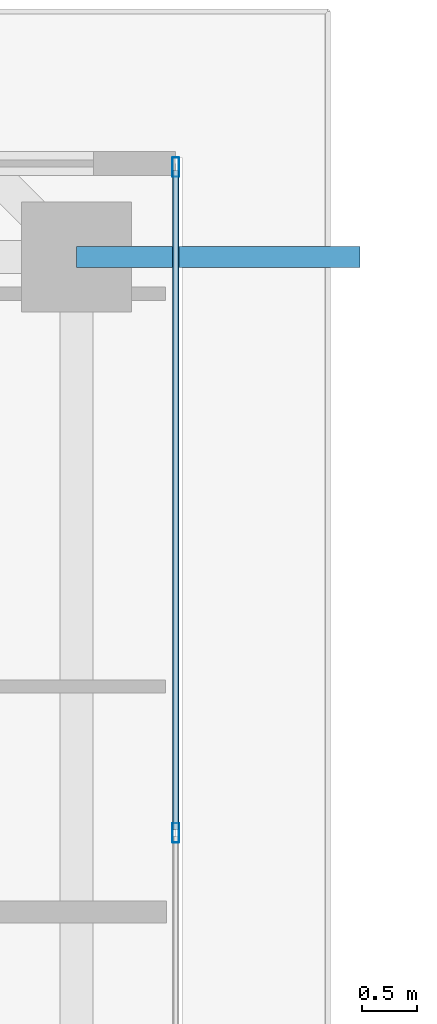
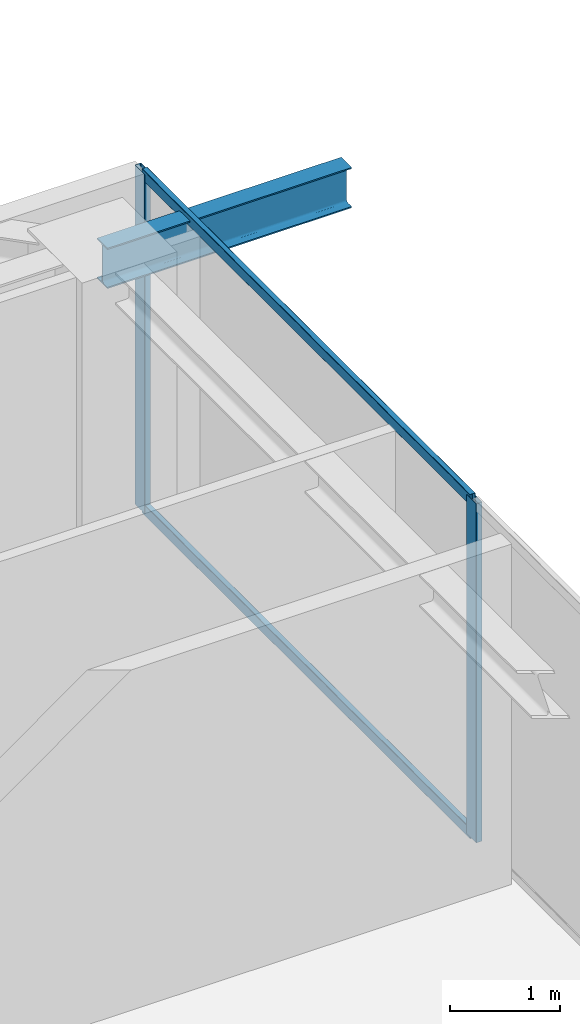
# One storey, part 23 of 37: 4 members, 1 beam, 1 element without a shape of its own.
"""IFC4 building model written with IfcOpenShell, lengths in metres."""

from ifc_helpers import new_model, si_unit, direction, frame, origin, origin_2d, place, context, subcontext, project, spatial, hollow_rectangle, i_section, extrude, source, transform, mapped, material, layer, layer_set, material_profile, profile_set, type_object, element, aggregate, save


model = new_model("IFC4")

# Units and contexts
model_context = context("Model", 3, precision=1e-05, world=origin(), true_north=direction((0.0, 1.0)))
body_context = subcontext(model_context, "Body", "Model", "MODEL_VIEW")
ifc_project = project(units=[si_unit("LENGTHUNIT", "METRE"), si_unit("AREAUNIT", "SQUARE_METRE"), si_unit("VOLUMEUNIT", "CUBIC_METRE"), si_unit("PLANEANGLEUNIT", "RADIAN"), si_unit("MASSUNIT", "GRAM", prefix="KILO")], contexts=[model_context])

# Site, building, storey
site_placement = place(None, origin())
site = spatial("IfcSite", under=ifc_project, at=site_placement, CompositionType="ELEMENT")
building_placement = place(site_placement, origin())
building = spatial("IfcBuilding", under=site, at=building_placement, Name="Serunith Strait Residences", CompositionType="ELEMENT")
storey_placement = place(building_placement, frame((0.0, 0.0, 305.60009765625)))
storey = spatial("IfcBuildingStorey", under=building, at=storey_placement, Name="L76", CompositionType="ELEMENT", Elevation=305.60009765625)

# Beam
ifc_material_1 = material(Name="Steel S355J2", Category="steel")
ifc_material_profile_1 = material_profile(ifc_material_1, i_section(OverallWidth=0.18994140625, OverallDepth=0.449951171875, WebThickness=0.009521484375, FlangeThickness=0.0146484375, FilletRadius=0.02099609375, at=origin_2d()), Name="IPE 450")
ifc_profile_set_1 = profile_set([ifc_material_profile_1], Name="Steel S355J2")
beam_type = type_object("IfcBeamType", Name="BM-IPE450", PredefinedType="JOIST", material=ifc_profile_set_1)
shared_shape_1 = source(origin(), body_context, "Body", "SweptSolid", [
    extrude(i_section(OverallWidth=0.18994140625, OverallDepth=0.449951171875, WebThickness=0.009521484375, FlangeThickness=0.0146484375, FilletRadius=0.02099609375, at=origin_2d()), origin(), (0.0, 0.0, 1.0), 2.571533203125),
])
beam_placement = place(storey_placement, frame((54.699951171875, 39.550048828125, 3.531982421875), z_axis=(1.0, 0.0, 0.0), x_axis=(0.0, 1.0, 0.0)))
element("IfcBeam", 1, at=beam_placement, inside=storey, type_object=beam_type, Name="L77 Cantilevered Balcony Rib TC-E4", PredefinedType="JOIST", context=body_context, shape_type="MappedRepresentation", body=[
    mapped(shared_shape_1, transform((0.0, 0.0, 0.0), scale=1.0)),
])

# Curtain wall, members
ifc_material_2 = material(Name="Brushed Stainless-Silver Aluminium", Category="aluminium")
ifc_layer = layer(ifc_material_2, 0.199951171875, Name="Brushed Stainless-Silver Aluminium")
ifc_layer_set = layer_set([ifc_layer], Name="Brushed Stainless-Silver Aluminium")
curtain_wall_type = type_object("IfcCurtainWallType", Name="CW-SYS5", PredefinedType="NOTDEFINED", material=ifc_layer_set)
curtain_wall_placement = place(storey_placement, origin())
curtain_wall = element("IfcCurtainWall", 2, at=curtain_wall_placement, inside=storey, type_object=curtain_wall_type, Name="L76 E Unitised Fritted Curtain Wall", PredefinedType="NOTDEFINED")
ifc_material_profile_2 = material_profile(ifc_material_2, hollow_rectangle(XDim=0.06005859375, YDim=0.1201171875, WallThickness=0.00341796875, InnerFilletRadius=0.00537109375, OuterFilletRadius=0.0087890625, at=origin_2d()), Name="ALU 120x60x3.5")
ifc_profile_set_2 = profile_set([ifc_material_profile_2], Name="Brushed Stainless-Silver Aluminium")
member_type_1 = type_object("IfcMemberType", Name="CW-SYS5-TRAN", PredefinedType="USERDEFINED", material=ifc_profile_set_2)
shared_shape_2 = source(origin(), body_context, "Body", "SweptSolid", [
    extrude(hollow_rectangle(XDim=0.06005859375, YDim=0.1201171875, WallThickness=0.00341796875, InnerFilletRadius=0.00537109375, OuterFilletRadius=0.0087890625, at=origin_2d()), origin(), (0.0, 0.0, 1.0), 5.982421875),
])
member_1_placement = place(storey_placement, frame((55.60009765625, 34.3525390625, 0.02978515625), z_axis=(0.0, 1.0, 0.0), x_axis=(-1.0, 0.0, 0.0)))
member_1 = element("IfcMember", 3, at=member_1_placement, type_object=member_type_1, Name="CW-5 transom 5.1", ObjectType="TRANSOM", PredefinedType="USERDEFINED", context=body_context, shape_type="MappedRepresentation", body=[
    mapped(shared_shape_2, transform((0.0, 0.0, 0.0), scale=1.0)),
])
member_2_placement = place(storey_placement, frame((55.60009765625, 34.3525390625, 3.744873046875), z_axis=(0.0, 1.0, 0.0), x_axis=(-1.0, 0.0, 0.0)))
member_2 = element("IfcMember", 4, at=member_2_placement, type_object=member_type_1, Name="CW-5 transom 5.2", ObjectType="TRANSOM", PredefinedType="USERDEFINED", context=body_context, shape_type="MappedRepresentation", body=[
    mapped(shared_shape_2, transform((0.0, 0.0, 0.0), scale=1.0)),
])
ifc_material_profile_3 = material_profile(ifc_material_2, hollow_rectangle(XDim=0.06494140625, YDim=0.179931640625, WallThickness=0.00341796875, InnerFilletRadius=0.00537109375, OuterFilletRadius=0.0087890625, at=origin_2d()), Name="ALU 180x65x3.5")
ifc_profile_set_3 = profile_set([ifc_material_profile_3], Name="Brushed Stainless-Silver Aluminium")
member_type_2 = type_object("IfcMemberType", Name="CW-SYS5-MULL", PredefinedType="MULLION", material=ifc_profile_set_3)
shared_shape_3 = source(origin(), body_context, "Body", "SweptSolid", [
    extrude(hollow_rectangle(XDim=0.06494140625, YDim=0.179931640625, WallThickness=0.00341796875, InnerFilletRadius=0.00537109375, OuterFilletRadius=0.0087890625, at=origin_2d()), origin(), (0.0, 0.0, 1.0), 3.77490234375),
])
member_3_placement = place(storey_placement, frame((55.60009765625, 34.320068359375, 0.0), z_axis=(0.0, 0.0, 1.0), x_axis=(-1.0, 0.0, 0.0)))
member_3 = element("IfcMember", 5, at=member_3_placement, type_object=member_type_2, Name="CW-5 mullion 5", PredefinedType="MULLION", context=body_context, shape_type="MappedRepresentation", body=[
    mapped(shared_shape_3, transform((0.0, 0.0, 0.0), scale=1.0)),
])
member_4_placement = place(storey_placement, frame((55.60009765625, 40.367431640625, 0.0), z_axis=(0.0, 0.0, 1.0), x_axis=(-1.0, 0.0, 0.0)))
member_4 = element("IfcMember", 6, at=member_4_placement, type_object=member_type_2, Name="CW-5 mullion 6", PredefinedType="MULLION", context=body_context, shape_type="MappedRepresentation", body=[
    mapped(shared_shape_3, transform((0.0, 0.0, 0.0), scale=1.0)),
])
aggregate(curtain_wall, [member_3, member_4, member_1, member_2])

save(model, "model.ifc")
